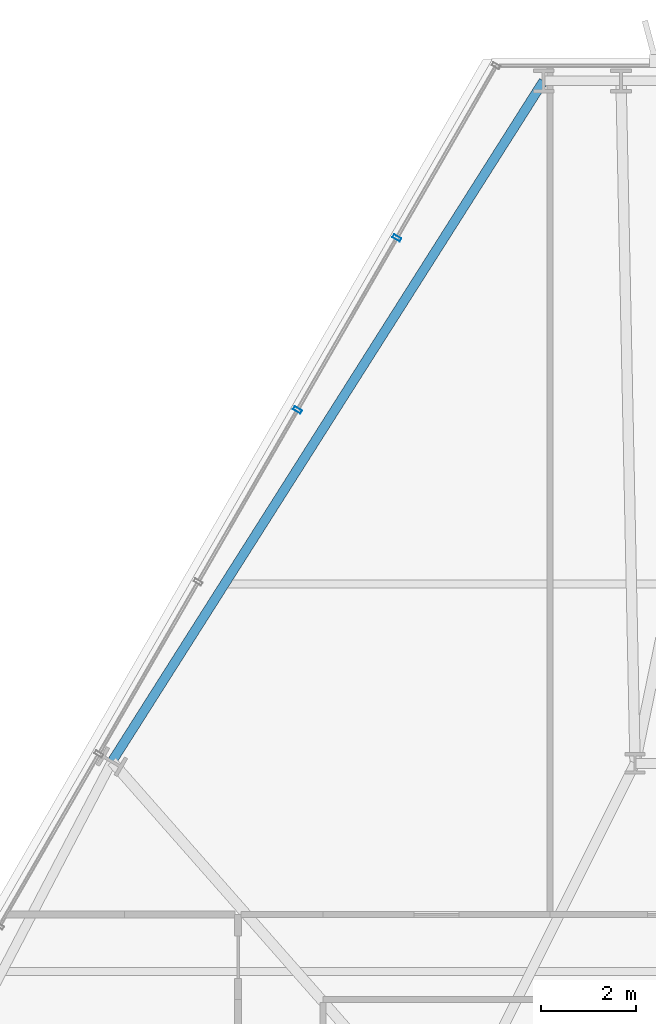
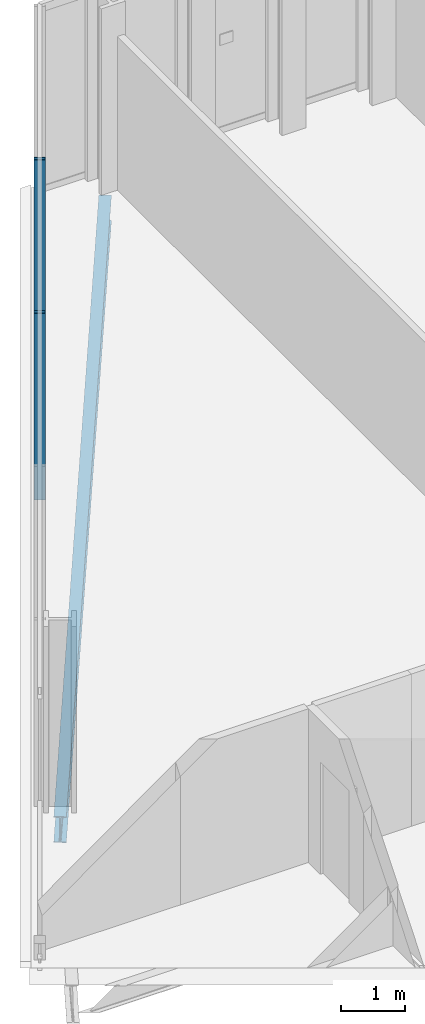
# One storey, part 20 of 31: 2 members, 1 beam, 1 element without a shape of its own.
"""IFC4 building model written with IfcOpenShell, lengths in metres."""

from ifc_helpers import new_model, si_unit, direction, frame, origin, origin_2d, place, context, subcontext, project, spatial, hollow_rectangle, i_section, extrude, material, layer, layer_set, material_profile, profile_set, type_object, element, aggregate, save


model = new_model("IFC4")

# Units and contexts
model_context = context("Model", 3, precision=1e-05, world=origin(), true_north=direction((0.0, 1.0)))
body_context = subcontext(model_context, "Body", "Model", "MODEL_VIEW")
ifc_project = project(units=[si_unit("LENGTHUNIT", "METRE"), si_unit("AREAUNIT", "SQUARE_METRE"), si_unit("VOLUMEUNIT", "CUBIC_METRE"), si_unit("PLANEANGLEUNIT", "RADIAN"), si_unit("MASSUNIT", "GRAM", prefix="KILO")], contexts=[model_context])

# Site, building, storey
site_placement = place(None, origin())
site = spatial("IfcSite", under=ifc_project, at=site_placement, CompositionType="ELEMENT")
building_placement = place(site_placement, origin())
building = spatial("IfcBuilding", under=site, at=building_placement, Name="Ndaravel Arena Tower", CompositionType="ELEMENT")
storey_placement = place(building_placement, frame((0.0, 0.0, 100.60009765625)))
storey = spatial("IfcBuildingStorey", under=building, at=storey_placement, Name="L23", CompositionType="ELEMENT", Elevation=100.60009765625)

# Beam
ifc_material_1 = material(Name="Steel S355", Category="steel")
ifc_material_profile_1 = material_profile(ifc_material_1, i_section(OverallWidth=0.199951171875, OverallDepth=0.5, WebThickness=0.01025390625, FlangeThickness=0.01611328125, FilletRadius=0.02099609375, at=origin_2d()), Name="IPE 500")
ifc_profile_set_1 = profile_set([ifc_material_profile_1], Name="Steel S355")
beam_type = type_object("IfcBeamType", Name="BM-SPAN-IPE500", PredefinedType="SPANDREL", material=ifc_profile_set_1)
beam_placement = place(storey_placement, frame((36.2646484375, 45.642578125, -0.47021484375), z_axis=(-0.535583851753, -0.844482052942, 0.0), x_axis=(0.844482052942, -0.535583851753, 0.0)))
element("IfcBeam", 1, at=beam_placement, inside=storey, type_object=beam_type, Name="L23 Perimeter Spandrel Beam SP-18", PredefinedType="SPANDREL", context=body_context, shape_type="SweptSolid", body=[
    extrude(i_section(OverallWidth=0.199951171875, OverallDepth=0.5, WebThickness=0.01025390625, FlangeThickness=0.01611328125, FilletRadius=0.02099609375, at=origin_2d()), origin(), (0.0, 0.0, 1.0), 17.0576171875),
])

# Curtain wall, members
ifc_material_2 = material(Name="Aluminium", Category="aluminium")
ifc_layer = layer(ifc_material_2, 0.179931640625)
ifc_layer_set = layer_set([ifc_layer], Name="Aluminium")
curtain_wall_type = type_object("IfcCurtainWallType", Name="CW-SYS-03", PredefinedType="NOTDEFINED", material=ifc_layer_set)
curtain_wall_placement = place(storey_placement, origin())
curtain_wall = element("IfcCurtainWall", 2, at=curtain_wall_placement, inside=storey, type_object=curtain_wall_type, Name="L23 Faceted Crystal Curtain Wall CW-L23-E05", PredefinedType="NOTDEFINED")
ifc_material_3 = material(Name="Aluminium", Category="aluminium")
ifc_material_profile_2 = material_profile(ifc_material_3, hollow_rectangle(XDim=0.074951171875, YDim=0.179931640625, WallThickness=0.00390625, at=origin_2d()), Name="CW MULLION 75x180x4")
ifc_profile_set_2 = profile_set([ifc_material_profile_2], Name="Aluminium")
member_type = type_object("IfcMemberType", Name="MEM-CW-MUL180", PredefinedType="MULLION", material=ifc_profile_set_2)
member_1_placement = place(storey_placement, frame((33.158447265625, 42.3212890625, 0.0), z_axis=(0.0, 0.0, 1.0), x_axis=(-0.5, -0.866025403784, 0.0)))
member_1 = element("IfcMember", 3, at=member_1_placement, type_object=member_type, Name="CW-L23-E05 Mullion 01", PredefinedType="MULLION", context=body_context, shape_type="SweptSolid", body=[
    extrude(hollow_rectangle(XDim=0.074951171875, YDim=0.179931640625, WallThickness=0.00390625, at=origin_2d()), origin(), (0.0, 0.0, 1.0), 3.579833984375),
])
member_2_placement = place(storey_placement, frame((31.05615234375, 38.68017578125, 0.0), z_axis=(0.0, 0.0, 1.0), x_axis=(-0.5, -0.866025403784, 0.0)))
member_2 = element("IfcMember", 4, at=member_2_placement, type_object=member_type, Name="CW-L23-E05 Mullion 02", PredefinedType="MULLION", context=body_context, shape_type="SweptSolid", body=[
    extrude(hollow_rectangle(XDim=0.074951171875, YDim=0.179931640625, WallThickness=0.00390625, at=origin_2d()), origin(), (0.0, 0.0, 1.0), 3.579833984375),
])
aggregate(curtain_wall, [member_1, member_2])

save(model, "model.ifc")
